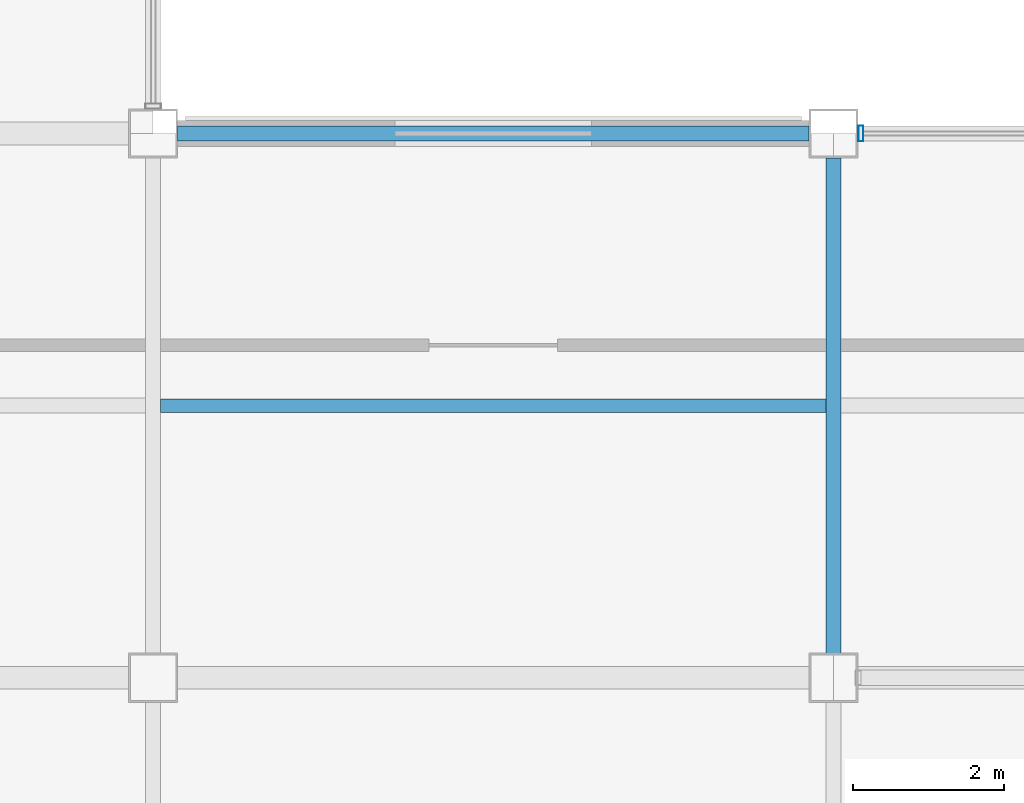
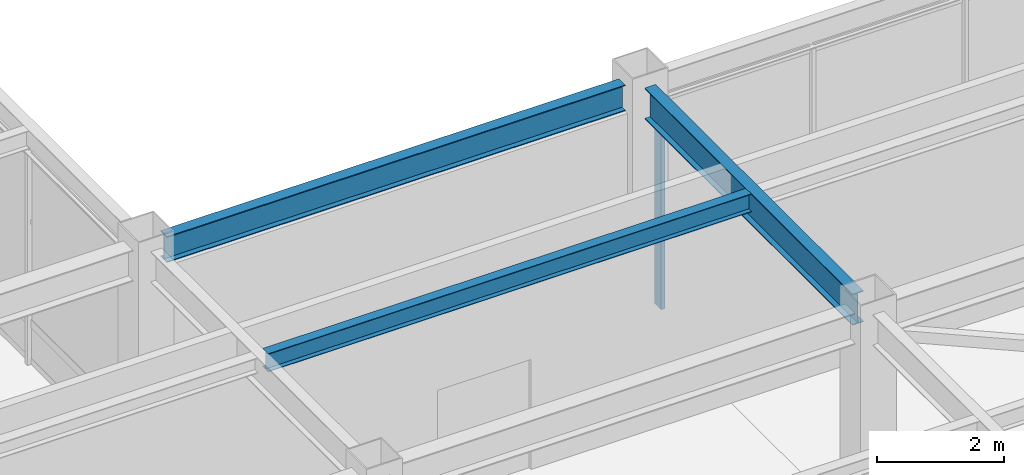
# One storey, part 30 of 112: 3 beams, 1 member, 1 element without a shape of its own.
"""IFC4 building model written with IfcOpenShell, lengths in metres."""

import ifcopenshell
import ifcopenshell.guid

model = None  # the IFC model being written
_history = None  # IfcOwnerHistory: only IFC2X3 demands one
_inside = {}  # id of a spatial element -> (the spatial element, [elements in it])
_under = {}  # id of a project, library or spatial element -> (it, [spatial elements below it])
_declared = {}  # id of a project -> (the project, [libraries it declares])
_typed = {}  # id of a type object -> (the type object, [elements of that type])
_made_of = {}  # id of a material, layer set ... -> (it, [elements and type objects made of it])


def new_model(schema):
    """Start an empty IFC model of exactly this schema.

    Asked for "IFC4X3", IfcOpenShell would pick the latest addendum, in which some entities
    have other attributes; the version numbers below select the first issue.
    IFC2X3 requires an IfcOwnerHistory on every rooted entity: one is made here for all.
    """
    global model, _history
    if schema == "IFC4X3":
        model = ifcopenshell.file(schema_version=(4, 3, 0, 0))
    else:
        model = ifcopenshell.file(schema=schema)
    _inside.clear()
    _under.clear()
    _declared.clear()
    _typed.clear()
    _made_of.clear()
    _history = None
    if model.schema == "IFC2X3":
        org = make("IfcOrganization", Name="unknown")
        user = make(
            "IfcPersonAndOrganization",
            ThePerson=make("IfcPerson", FamilyName="unknown"),
            TheOrganization=org,
        )
        app = make(
            "IfcApplication",
            ApplicationDeveloper=org,
            Version="unknown",
            ApplicationFullName="unknown",
            ApplicationIdentifier="unknown",
        )
        _history = make(
            "IfcOwnerHistory",
            OwningUser=user,
            OwningApplication=app,
            ChangeAction="ADDED",
            CreationDate=0,
        )
    return model


def make(cls, **values):
    """One entity of the class cls with the attributes given. An attribute that is None is left unset."""
    return model.create_entity(
        cls, **{name: value for name, value in values.items() if value is not None}
    )


def rooted(cls, **values):
    """An entity with a GlobalId (a new one), such as an element, a storey or a relation."""
    return make(cls, GlobalId=ifcopenshell.guid.new(), OwnerHistory=_history, **values)


def si_unit(unit_type, name, prefix=None):
    """IfcSIUnit, for example si_unit("LENGTHUNIT", "METRE", prefix="MILLI")."""
    return make("IfcSIUnit", UnitType=unit_type, Prefix=prefix, Name=name)


def assignment(units):
    """IfcUnitAssignment: the units of a project."""
    return None if units is None else make("IfcUnitAssignment", Units=units)


def point(xyz):
    """IfcCartesianPoint."""
    return None if xyz is None else make("IfcCartesianPoint", Coordinates=xyz)


def direction(xyz):
    """IfcDirection."""
    return None if xyz is None else make("IfcDirection", DirectionRatios=xyz)


def frame(location, z_axis=None, x_axis=None):
    """IfcAxis2Placement3D, a coordinate frame: its origin and axes. An axis left out is left unset."""
    return make(
        "IfcAxis2Placement3D",
        Location=point(location),
        Axis=direction(z_axis),
        RefDirection=direction(x_axis),
    )


def frame_2d(location, x_axis=None):
    """IfcAxis2Placement2D, a coordinate frame in the plane: its origin and x axis."""
    return make(
        "IfcAxis2Placement2D", Location=point(location), RefDirection=direction(x_axis)
    )


def origin():
    """The frame at (0, 0, 0) with its axes left unset."""
    return frame((0.0, 0.0, 0.0))


def origin_2d():
    """The frame at (0, 0) in the plane with its x axis left unset."""
    return frame_2d((0.0, 0.0))


def place(relative_to, where):
    """IfcLocalPlacement: puts the frame where relative to a parent placement (None: the world)."""
    return make(
        "IfcLocalPlacement", PlacementRelTo=relative_to, RelativePlacement=where
    )


def context(
    kind, dimensions, precision=None, world=None, true_north=None, identifier=None
):
    """IfcGeometricRepresentationContext, for example the 3D "Model" context."""
    return make(
        "IfcGeometricRepresentationContext",
        ContextIdentifier=identifier,
        ContextType=kind,
        CoordinateSpaceDimension=dimensions,
        Precision=precision,
        WorldCoordinateSystem=world,
        TrueNorth=true_north,
    )


def subcontext(parent, identifier, kind, view, scale=None):
    """IfcGeometricRepresentationSubContext, for example "Body" below "Model"."""
    return make(
        "IfcGeometricRepresentationSubContext",
        ContextIdentifier=identifier,
        ContextType=kind,
        ParentContext=parent,
        TargetScale=scale,
        TargetView=view,
    )


def project(units=None, contexts=None):
    """IfcProject with its units and contexts."""
    return rooted(
        "IfcProject",
        Name="project",
        RepresentationContexts=contexts,
        UnitsInContext=assignment(units),
    )


def spatial(cls, under=None, at=None, **own):
    """A site, building, storey or space (cls), placed at a placement, below another one or the project."""
    s = rooted(cls, ObjectPlacement=at, **own)
    if under is not None:
        _under.setdefault(under.id(), (under, []))[1].append(s)
    return s


def profile(cls, at=None, kind="AREA", **sizes):
    """A parametric profile (cls). Its sizes go by their IFC names, for example OverallWidth=200.0."""
    return make(cls, ProfileType=kind, Position=at, **sizes)


def hollow_rectangle(**sizes):
    """IfcRectangleHollowProfileDef."""
    return profile("IfcRectangleHollowProfileDef", **sizes)


def i_section(**sizes):
    """IfcIShapeProfileDef."""
    return profile("IfcIShapeProfileDef", **sizes)


def extrude(swept, where, along, depth):
    """IfcExtrudedAreaSolid: the profile swept, set in the frame where, extruded along a direction by depth."""
    return make(
        "IfcExtrudedAreaSolid",
        SweptArea=swept,
        Position=where,
        ExtrudedDirection=direction(along),
        Depth=depth,
    )


def shape(context_of_items, identifier, shape_type, items):
    """IfcShapeRepresentation: the items that make up one representation, for example the "Body"."""
    return make(
        "IfcShapeRepresentation",
        ContextOfItems=context_of_items,
        RepresentationIdentifier=identifier,
        RepresentationType=shape_type,
        Items=items,
    )


def material(Name=None, Category=None):
    """IfcMaterial."""
    return make("IfcMaterial", Name=Name, Category=Category)


def material_profile(
    of_material, cross_section, Name=None, Category=None, Priority=None
):
    """IfcMaterialProfile: a cross section and its material."""
    return make(
        "IfcMaterialProfile",
        Name=Name,
        Material=of_material,
        Profile=cross_section,
        Priority=Priority,
        Category=Category,
    )


def profile_set(profiles, Name=None, composite=None):
    """IfcMaterialProfileSet."""
    return make(
        "IfcMaterialProfileSet",
        Name=Name,
        MaterialProfiles=profiles,
        CompositeProfile=composite,
    )


def made_of(thing, what):
    """Note that an element or type object is made of a material, layer set ...; save() writes the relation."""
    if what is not None:
        _made_of.setdefault(what.id(), (what, []))[1].append(thing)
    return thing


def type_object(cls, material=None, **own):
    """A type object (cls), such as IfcWallType, which elements share."""
    return made_of(rooted(cls, **own), material)


def element(
    cls,
    number,
    at=None,
    inside=None,
    cuts=None,
    type_object=None,
    material=None,
    context=None,
    identifier="Body",
    shape_type=None,
    held_by="IfcProductDefinitionShape",
    body=None,
    shapes=None,
    **own,
):
    """One element of the class cls, such as IfcWall. Its Tag is "e" and its number.

    at: its placement. inside: the storey or other place that contains it. cuts: it is an
    opening in that element (IfcRelVoidsElement). A single representation is given by context,
    identifier, shape_type and body (its items); several are given by shapes. held_by: the class
    of the entity that holds the representations. save() writes the other relations.
    """
    e = rooted(cls, Tag="e%d" % number, ObjectPlacement=at, **own)
    if body is not None:
        shapes = [shape(context, identifier, shape_type, body)]
    if shapes is not None:
        e.Representation = make(held_by, Representations=shapes)
    if inside is not None:
        _inside.setdefault(inside.id(), (inside, []))[1].append(e)
    if cuts is not None:
        rooted(
            "IfcRelVoidsElement", RelatingBuildingElement=cuts, RelatedOpeningElement=e
        )
    if type_object is not None:
        _typed.setdefault(type_object.id(), (type_object, []))[1].append(e)
    return made_of(e, material)


def aggregate(whole, parts):
    """IfcRelAggregates: a whole, such as a stair, and the parts it consists of."""
    return rooted("IfcRelAggregates", RelatingObject=whole, RelatedObjects=parts)


def save(model, path):
    """Write the relations noted so far, then the file.

    IfcRelAggregates (storeys below a building ...), IfcRelContainedInSpatialStructure (elements
    in a storey), IfcRelDefinesByType, IfcRelAssociatesMaterial and IfcRelDeclares: one each for
    every whole, place, type object, material and project.
    """
    for whole, parts in _under.values():
        aggregate(whole, parts)
    for where, things in _inside.values():
        rooted(
            "IfcRelContainedInSpatialStructure",
            RelatedElements=things,
            RelatingStructure=where,
        )
    for kind, things in _typed.values():
        rooted("IfcRelDefinesByType", RelatedObjects=things, RelatingType=kind)
    for what, things in _made_of.values():
        rooted("IfcRelAssociatesMaterial", RelatedObjects=things, RelatingMaterial=what)
    for by, libraries in _declared.values():
        rooted("IfcRelDeclares", RelatingContext=by, RelatedDefinitions=libraries)
    model.write(path)


model = new_model("IFC4")

# Units and contexts
model_context = context("Model", 3, precision=1e-05, world=origin(), true_north=direction((0.0, 1.0)))
body_context = subcontext(model_context, "Body", "Model", "MODEL_VIEW")
ifc_project = project(units=[si_unit("LENGTHUNIT", "METRE"), si_unit("AREAUNIT", "SQUARE_METRE"), si_unit("VOLUMEUNIT", "CUBIC_METRE"), si_unit("PLANEANGLEUNIT", "RADIAN"), si_unit("MASSUNIT", "GRAM", prefix="KILO")], contexts=[model_context])

# Site, building, storey
site_placement = place(None, origin())
site = spatial("IfcSite", under=ifc_project, at=site_placement, CompositionType="ELEMENT")
building_placement = place(site_placement, origin())
building = spatial("IfcBuilding", under=site, at=building_placement, Name="Kazanami Central Library", CompositionType="ELEMENT")
storey_placement = place(building_placement, origin())
storey = spatial("IfcBuildingStorey", under=building, at=storey_placement, Name="L01", CompositionType="ELEMENT", Elevation=0.0)

# Beams
ifc_material_1 = material(Name="Steel SN400B (235 MPa)", Category="steel")
ifc_material_profile_1 = material_profile(ifc_material_1, i_section(OverallWidth=0.175048828125, OverallDepth=0.35009765625, WebThickness=0.007080078125, FlangeThickness=0.010986328125, at=origin_2d()), Name="H-350x175x7x11")
ifc_profile_set_1 = profile_set([ifc_material_profile_1], Name="Steel SN400B (235 MPa)")
beam_type_1 = type_object("IfcBeamType", Name="BM-B-S2", PredefinedType="JOIST", material=ifc_profile_set_1)
beam_1_placement = place(storey_placement, frame((54.097900390625, 32.39990234375, 4.3798828125), z_axis=(1.0, 0.0, 0.0), x_axis=(0.0, 1.0, 0.0)))
element("IfcBeam", 1, at=beam_1_placement, inside=storey, type_object=beam_type_1, Name="Composite Secondary Joist B-S2 L01 Bay 7/E.1", PredefinedType="JOIST", context=body_context, shape_type="SweptSolid", body=[
    extrude(i_section(OverallWidth=0.175048828125, OverallDepth=0.35009765625, WebThickness=0.007080078125, FlangeThickness=0.010986328125, at=origin_2d()), origin(), (0.0, 0.0, 1.0), 8.80419921875),
])
ifc_material_2 = material(Name="Steel SN490B (325 MPa)", Category="steel")
ifc_material_profile_2 = material_profile(ifc_material_2, i_section(OverallWidth=0.199951171875, OverallDepth=0.60009765625, WebThickness=0.010986328125, FlangeThickness=0.01708984375, at=origin_2d()), Name="H-600x200x11x17")
ifc_profile_set_2 = profile_set([ifc_material_profile_2], Name="Steel SN490B (325 MPa)")
beam_type_2 = type_object("IfcBeamType", Name="BM-G-Y1", PredefinedType="BEAM", material=ifc_profile_set_2)
beam_2_placement = place(storey_placement, frame((63.0, 29.123046875, 4.2548828125), z_axis=(0.0, 1.0, 0.0), x_axis=(-1.0, 0.0, 0.0)))
element("IfcBeam", 2, at=beam_2_placement, inside=storey, type_object=beam_type_2, Name="Girder G-Y1 L01 8/E-F", PredefinedType="BEAM", context=body_context, shape_type="SweptSolid", body=[
    extrude(i_section(OverallWidth=0.199951171875, OverallDepth=0.60009765625, WebThickness=0.010986328125, FlangeThickness=0.01708984375, at=origin_2d()), origin(), (0.0, 0.0, 1.0), 6.553955078125),
])
ifc_material_profile_3 = material_profile(ifc_material_2, i_section(OverallWidth=0.199951171875, OverallDepth=0.5, WebThickness=0.010009765625, FlangeThickness=0.01611328125, at=origin_2d()), Name="H-500x200x10x16")
ifc_profile_set_3 = profile_set([ifc_material_profile_3], Name="Steel SN490B (325 MPa)")
beam_type_3 = type_object("IfcBeamType", Name="BM-SP-1", PredefinedType="SPANDREL", material=ifc_profile_set_3)
beam_3_placement = place(storey_placement, frame((54.322998046875, 36.0, 4.304931640625), z_axis=(1.0, 0.0, 0.0), x_axis=(0.0, 1.0, 0.0)))
element("IfcBeam", 3, at=beam_3_placement, inside=storey, type_object=beam_type_3, Name="Girder SP-1 L01 F/7-8", PredefinedType="SPANDREL", context=body_context, shape_type="SweptSolid", body=[
    extrude(i_section(OverallWidth=0.199951171875, OverallDepth=0.5, WebThickness=0.010009765625, FlangeThickness=0.01611328125, at=origin_2d()), origin(), (0.0, 0.0, 1.0), 8.35400390625),
])

# Curtain wall, member
ifc_material_3 = material(Name="Acid-Etched Low-E Laminated Glass", Category="glass")
curtain_wall_type = type_object("IfcCurtainWallType", Name="CW-8350x4055-M275", PredefinedType="USERDEFINED", material=ifc_material_3)
curtain_wall_placement = place(storey_placement, origin())
curtain_wall = element("IfcCurtainWall", 4, at=curtain_wall_placement, inside=storey, type_object=curtain_wall_type, Name="Unitised Curtain Wall CW-03 L01 N-F-07", ObjectType="UNITISED CURTAIN WALL", PredefinedType="USERDEFINED")
ifc_material_4 = material(Name="Anodised Aluminium A6063-T5", Category="aluminium")
ifc_material_profile_4 = material_profile(ifc_material_4, hollow_rectangle(XDim=0.070068359375, YDim=0.2099609375, WallThickness=0.0048828125, at=origin_2d()), Name="ALU-MULL-70x210x5")
ifc_profile_set_4 = profile_set([ifc_material_profile_4], Name="Anodised Aluminium A6063-T5")
member_type = type_object("IfcMemberType", Name="MEM-CW-M1", PredefinedType="MULLION", material=ifc_profile_set_4)
member_placement = place(storey_placement, frame((63.360107421875, 36.0, 0.0), z_axis=(0.0, 0.0, 1.0), x_axis=(-1.0, 0.0, 0.0)))
member = element("IfcMember", 5, at=member_placement, type_object=member_type, Name="CW-03 mullion 4", PredefinedType="MULLION", context=body_context, shape_type="SweptSolid", body=[
    extrude(hollow_rectangle(XDim=0.070068359375, YDim=0.2099609375, WallThickness=0.0048828125, at=origin_2d()), origin(), (0.0, 0.0, 1.0), 4.054931640625),
])
aggregate(curtain_wall, [member])

save(model, "model.ifc")
